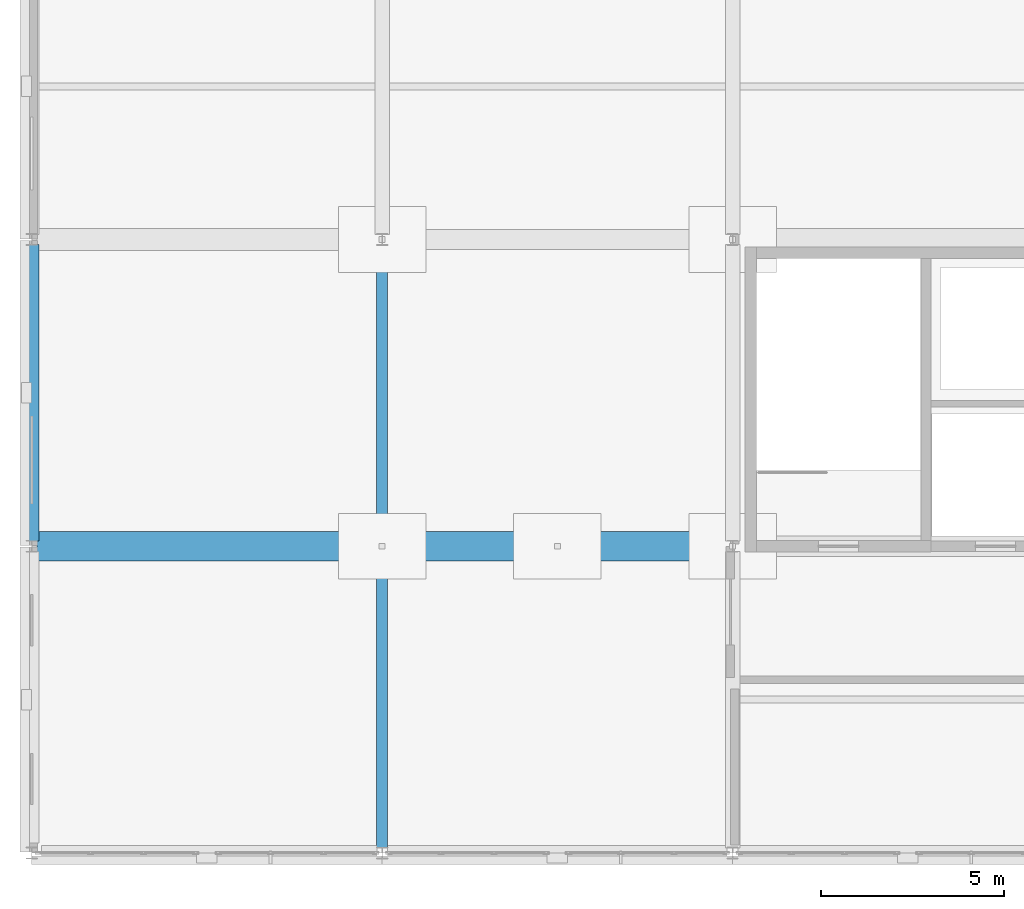
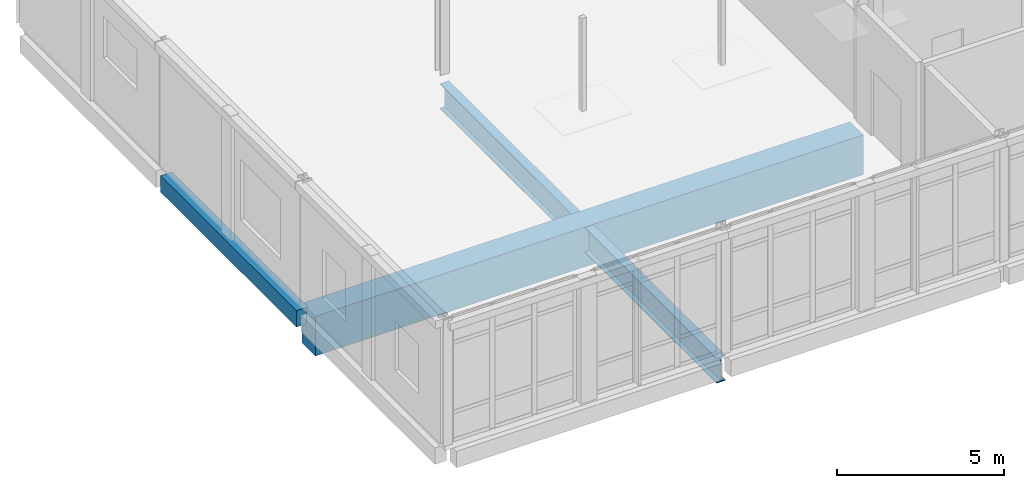
# One storey, part 9 of 88: 3 beams.
"""IFC4 building model written with IfcOpenShell, lengths in metres."""

from ifc_helpers import new_model, si_unit, direction, frame, origin, origin_2d, place, context, subcontext, project, spatial, rectangle, i_section, extrude, material, material_profile, profile_set, type_object, element, save


model = new_model("IFC4")

# Units and contexts
model_context = context("Model", 3, precision=1e-05, world=origin(), true_north=direction((0.0, 1.0)))
body_context = subcontext(model_context, "Body", "Model", "MODEL_VIEW")
ifc_project = project(units=[si_unit("LENGTHUNIT", "METRE"), si_unit("AREAUNIT", "SQUARE_METRE"), si_unit("VOLUMEUNIT", "CUBIC_METRE"), si_unit("PLANEANGLEUNIT", "RADIAN"), si_unit("MASSUNIT", "GRAM", prefix="KILO")], contexts=[model_context])

# Site, building, storey
site_placement = place(None, origin())
site = spatial("IfcSite", under=ifc_project, at=site_placement, CompositionType="ELEMENT")
building_placement = place(site_placement, origin())
building = spatial("IfcBuilding", under=site, at=building_placement, Name="Lornevale Opera House", CompositionType="ELEMENT")
storey_placement = place(building_placement, frame((0.0, 0.0, 10.199951171875)))
storey = spatial("IfcBuildingStorey", under=building, at=storey_placement, Name="L03", CompositionType="ELEMENT", Elevation=10.199951171875)

# Beams
ifc_material_1 = material(Name="Concrete 35 MPa (CSA A23.1 N)", Category="concrete")
ifc_material_profile_1 = material_profile(ifc_material_1, rectangle(XDim=0.39990234375, YDim=0.60009765625, at=origin_2d()), Name="RC400x600")
ifc_profile_set_1 = profile_set([ifc_material_profile_1], Name="Concrete 35 MPa (CSA A23.1 N)")
beam_type_1 = type_object("IfcBeamType", Name="Concrete Spandrel Beam 400x600", PredefinedType="SPANDREL", material=ifc_profile_set_1)
beam_1_placement = place(storey_placement, frame((0.0, 8.53759765625, -0.579833984375), z_axis=(0.0, 1.0, 0.0), x_axis=(-1.0, 0.0, 0.0)))
element("IfcBeam", 1, at=beam_1_placement, inside=storey, type_object=beam_type_1, Name="Concrete Spandrel Beam 400x600 2227", PredefinedType="SPANDREL", context=body_context, shape_type="SweptSolid", body=[
    extrude(rectangle(XDim=0.39990234375, YDim=0.60009765625, at=origin_2d()), origin(), (0.0, 0.0, 1.0), 8.125),
])
ifc_material_2 = material(Name="Concrete 40 MPa (CSA A23.1 C-1)", Category="concrete")
ifc_material_profile_2 = material_profile(ifc_material_2, rectangle(XDim=0.800048828125, YDim=1.449951171875, at=origin_2d()), Name="RC800x1450")
ifc_profile_set_2 = profile_set([ifc_material_profile_2], Name="Concrete 40 MPa (CSA A23.1 C-1)")
beam_type_2 = type_object("IfcBeamType", Name="Concrete Transfer Girder 800x1450", PredefinedType="USERDEFINED", material=ifc_profile_set_2)
beam_2_placement = place(storey_placement, frame((0.14697265625, 8.39990234375, -1.0048828125), z_axis=(1.0, 0.0, 0.0), x_axis=(0.0, 1.0, 0.0)))
element("IfcBeam", 2, at=beam_2_placement, inside=storey, type_object=beam_type_2, Name="Concrete Transfer Girder 800x1450 2086", ObjectType="TRANSFER GIRDER", PredefinedType="USERDEFINED", context=body_context, shape_type="SweptSolid", body=[
    extrude(rectangle(XDim=0.800048828125, YDim=1.449951171875, at=origin_2d()), origin(), (0.0, 0.0, 1.0), 18.906005859375),
])
ifc_material_3 = material(Name="Structural Steel CSA G40.21 Grade 350W (350 MPa)", Category="steel")
ifc_material_profile_3 = material_profile(ifc_material_3, i_section(OverallWidth=0.305908203125, OverallDepth=0.9189453125, WebThickness=0.017333984375, FlangeThickness=0.02783203125, at=origin_2d()), Name="W920x253")
ifc_profile_set_3 = profile_set([ifc_material_profile_3], Name="Structural Steel CSA G40.21 Grade 350W (350 MPa)")
beam_type_3 = type_object("IfcBeamType", Name="Steel Stagehouse Girder W920x253", PredefinedType="USERDEFINED", material=ifc_profile_set_3)
beam_3_placement = place(storey_placement, frame((9.60009765625, 0.137451171875, -0.75439453125), z_axis=(0.0, 1.0, 0.0), x_axis=(-1.0, 0.0, 0.0)))
element("IfcBeam", 3, at=beam_3_placement, inside=storey, type_object=beam_type_3, Name="Steel Stagehouse Girder W920x253 2233", ObjectType="GIRDER", PredefinedType="USERDEFINED", context=body_context, shape_type="SweptSolid", body=[
    extrude(i_section(OverallWidth=0.305908203125, OverallDepth=0.9189453125, WebThickness=0.017333984375, FlangeThickness=0.02783203125, at=origin_2d()), origin(), (0.0, 0.0, 1.0), 16.525146484375),
])

save(model, "model.ifc")
